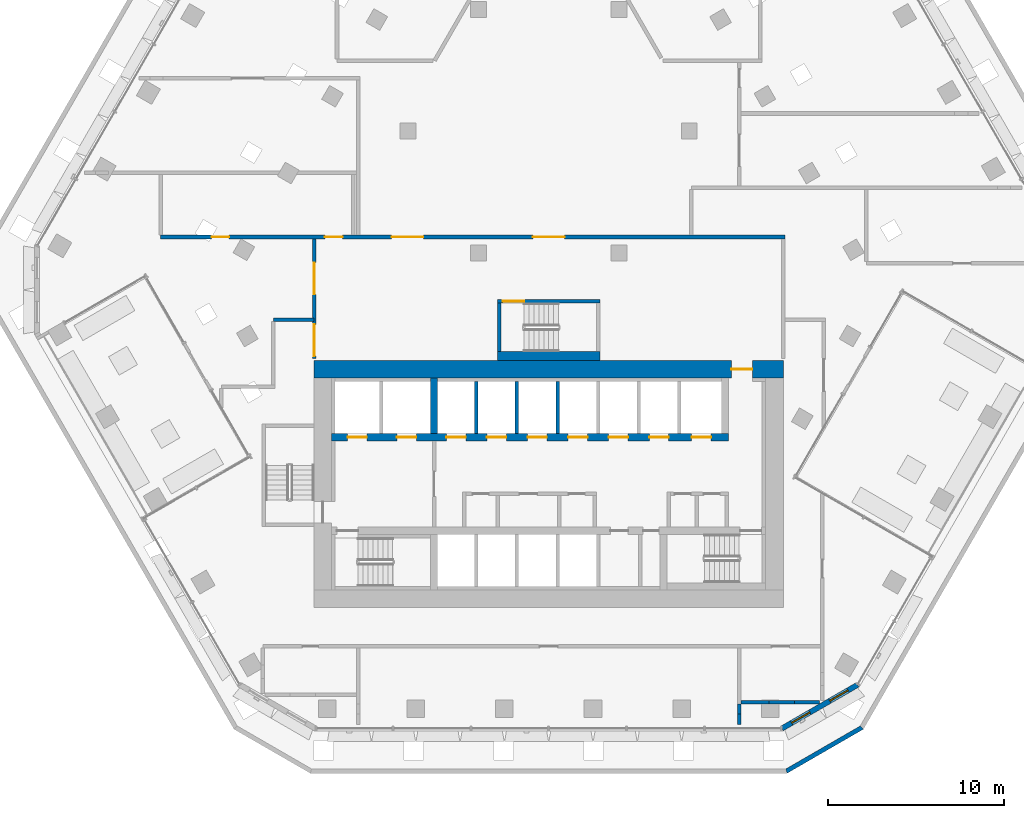
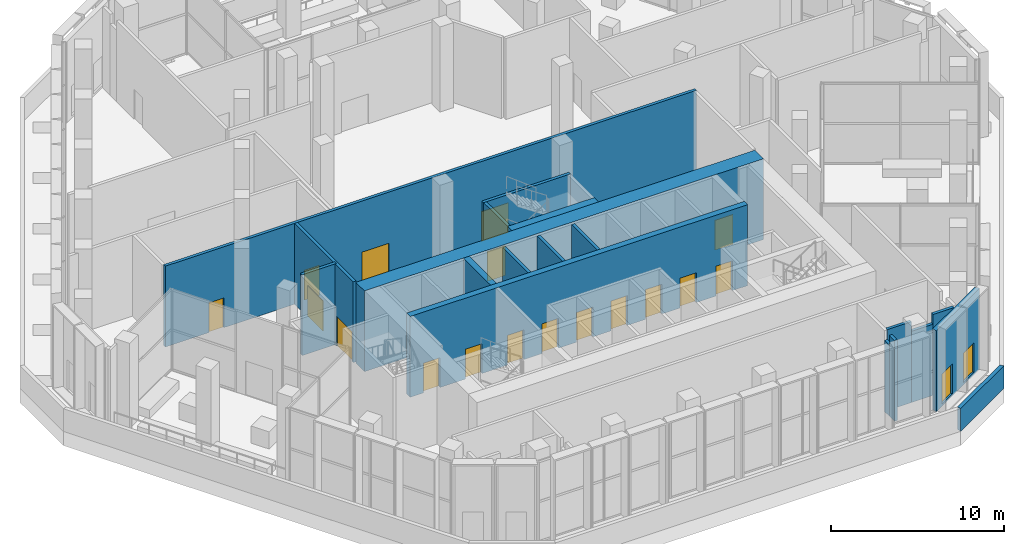
# One storey, part 10 of 23: 19 walls, 17 doors, 2 windows, 19 openings.
"""IFC4 building model written with IfcOpenShell, lengths in metres."""

from ifc_helpers import new_model, si_unit, direction, frame, frame_2d, origin, place, context, subcontext, project, spatial, polyline, rectangle, outline, extrude, material, layer, layer_set, type_object, element, fill, save


model = new_model("IFC4")

# Units and contexts
model_context = context("Model", 3, precision=1e-05, world=origin(), true_north=direction((0.0, 1.0)))
body_context = subcontext(model_context, "Body", "Model", "MODEL_VIEW")
ifc_project = project(units=[si_unit("LENGTHUNIT", "METRE"), si_unit("AREAUNIT", "SQUARE_METRE"), si_unit("VOLUMEUNIT", "CUBIC_METRE"), si_unit("PLANEANGLEUNIT", "RADIAN"), si_unit("MASSUNIT", "GRAM", prefix="KILO")], contexts=[model_context])

# Site, building, storey
site_placement = place(None, origin())
site = spatial("IfcSite", under=ifc_project, at=site_placement, CompositionType="ELEMENT")
building_placement = place(site_placement, origin())
building = spatial("IfcBuilding", under=site, at=building_placement, Name="Beryl Residences", CompositionType="ELEMENT")
storey_placement = place(building_placement, frame((0.0, 0.0, 66.0)))
storey = spatial("IfcBuildingStorey", under=building, at=storey_placement, Name="L20", CompositionType="ELEMENT", Elevation=66.0)

# Wall, openings, windows
ifc_material_1 = material(Name="Composite metal panel with mineral wool insulation")
ifc_layer_1 = layer(ifc_material_1, 0.300048828125)
ifc_layer_set_1 = layer_set([ifc_layer_1], Name="ES1 pale metal composite panel wall 300 mm")
wall_type_1 = type_object("IfcWallType", Name="ES1 pale metal composite panel wall 300 mm", PredefinedType="SOLIDWALL", material=ifc_layer_set_1)
wall_1_placement = place(storey_placement, frame((13.2041015625, -25.8701171875, 0.0), z_axis=(0.0, 0.0, 1.0), x_axis=(0.866010750942, 0.50002537861, 0.0)))
wall_1 = element("IfcWall", 1, at=wall_1_placement, inside=storey, type_object=wall_type_1, Name="ES1 external wall L20 S-SE", PredefinedType="SOLIDWALL", context=body_context, shape_type="SweptSolid", body=[
    extrude(outline(polyline([(0.0, -0.14990234375), (4.999755859375, -0.14990234375), (4.91943359375, 0.14990234375), (0.080322265625, 0.14990234375), (0.0, -0.14990234375)])), origin(), (0.0, 0.0, 1.0), 5.699951171875),
])
opening_1_placement = place(wall_1_placement, frame((0.64990234375, 0.0, 0.14990234375)))
opening_1 = element("IfcOpeningElement", 2, at=opening_1_placement, cuts=wall_1, Name="Opening W2", PredefinedType="OPENING", context=body_context, shape_type="SweptSolid", body=[
    extrude(rectangle(XDim=1.199951171875, YDim=2.10009765625, at=frame_2d((0.60009765625, 1.050048828125))), frame((0.0, 0.159912109375, 0.0), z_axis=(0.0, -1.0, 0.0), x_axis=(1.0, 0.0, 0.0)), (0.0, 0.0, 1.0), 0.320068359375),
])
opening_2_placement = place(wall_1_placement, frame((3.14892578125, 0.0, 0.14990234375)))
opening_2 = element("IfcOpeningElement", 3, at=opening_2_placement, cuts=wall_1, Name="Opening W2", PredefinedType="OPENING", context=body_context, shape_type="SweptSolid", body=[
    extrude(rectangle(XDim=1.199951171875, YDim=2.10009765625, at=frame_2d((0.60009765625, 1.050048828125))), frame((0.0, 0.159912109375, 0.0), z_axis=(0.0, -1.0, 0.0), x_axis=(1.0, 0.0, 0.0)), (0.0, 0.0, 1.0), 0.320068359375),
])
ifc_material_2 = material(Name="Aluminium and clear glass", Category="aluminium")
window_type = type_object("IfcWindowType", Name="W2 chamfer window 1200 x 2100 mm", PartitioningType="SINGLE_PANEL", PredefinedType="WINDOW", material=ifc_material_2)
window_1_placement = place(opening_1_placement, origin())
window_1 = element("IfcWindow", 4, at=window_1_placement, inside=storey, type_object=window_type, Name="W2 window L20 S-SE 1", OverallHeight=2.10009765625, OverallWidth=1.199951171875, PartitioningType="SINGLE_PANEL", PredefinedType="WINDOW", context=body_context, shape_type="SweptSolid", body=[
    extrude(rectangle(XDim=1.199951171875, YDim=2.10009765625, at=frame_2d((0.60009765625, 1.050048828125))), frame((0.0, 0.030029296875, 0.0), z_axis=(0.0, -1.0, 0.0), x_axis=(1.0, 0.0, 0.0)), (0.0, 0.0, 1.0), 0.06005859375),
])
fill(opening_1, window_1)
window_2_placement = place(opening_2_placement, origin())
window_2 = element("IfcWindow", 5, at=window_2_placement, inside=storey, type_object=window_type, Name="W2 window L20 S-SE 2", OverallHeight=2.10009765625, OverallWidth=1.199951171875, PartitioningType="SINGLE_PANEL", PredefinedType="WINDOW", context=body_context, shape_type="SweptSolid", body=[
    extrude(rectangle(XDim=1.199951171875, YDim=2.10009765625, at=frame_2d((0.60009765625, 1.050048828125))), frame((0.0, 0.030029296875, 0.0), z_axis=(0.0, -1.0, 0.0), x_axis=(1.0, 0.0, 0.0)), (0.0, 0.0, 1.0), 0.06005859375),
])
fill(opening_2, window_2)

# Walls
ifc_material_3 = material(Name="Precast concrete C40/50", Category="concrete")
ifc_layer_2 = layer(ifc_material_3, 0.25)
ifc_layer_set_2 = layer_set([ifc_layer_2], Name="PA1 roof parapet 250 mm")
wall_type_2 = type_object("IfcWallType", Name="PA1 roof parapet 250 mm", PredefinedType="PARAPET", material=ifc_layer_set_2)
wall_2_placement = place(storey_placement, frame((17.777099609375, -25.791015625, 0.0), z_axis=(0.0, 0.0, 1.0), x_axis=(-0.865889515344, -0.500235291855, 0.0)))
element("IfcWall", 6, at=wall_2_placement, inside=storey, type_object=wall_type_2, Name="PA1 parapet L20 strip 5", PredefinedType="PARAPET", context=body_context, shape_type="SweptSolid", body=[
    extrude(outline(polyline([(0.06689453125, -0.125), (4.9326171875, -0.125), (4.99951171875, 0.125), (0.0, 0.125), (0.06689453125, -0.125)])), origin(), (0.0, 0.0, 1.0), 1.60009765625),
])
ifc_material_4 = material(Name="Cement board with tiles")
ifc_layer_3 = layer(ifc_material_4, 0.199951171875)
ifc_layer_set_3 = layer_set([ifc_layer_3], Name="PT11-200 wet area wall 200 mm")
wall_type_3 = type_object("IfcWallType", Name="PT11-200 wet area wall 200 mm", PredefinedType="PARTITIONING", material=ifc_layer_set_3)
wall_3_placement = place(storey_placement, frame((10.89990234375, -24.37109375, 0.0), z_axis=(0.0, 0.0, 1.0), x_axis=(1.0, 0.0, 0.0)))
element("IfcWall", 7, at=wall_3_placement, inside=storey, type_object=wall_type_3, Name="Wall PT11-200 L20 001", PredefinedType="PARTITIONING", context=body_context, shape_type="SweptSolid", body=[
    extrude(rectangle(XDim=1.591064453125, YDim=0.199951171875, at=frame_2d((0.79541015625, 0.0))), origin(), (0.0, 0.0, 1.0), 5.699951171875),
])
wall_4_placement = place(storey_placement, frame((12.490966796875, -24.37109375, 0.0), z_axis=(0.0, 0.0, 1.0), x_axis=(1.0, 0.0, 0.0)))
element("IfcWall", 8, at=wall_4_placement, inside=storey, type_object=wall_type_3, Name="Wall PT11-200 L20 002", PredefinedType="PARTITIONING", context=body_context, shape_type="SweptSolid", body=[
    extrude(rectangle(XDim=1.447021484375, YDim=0.199951171875, at=frame_2d((0.7236328125, 0.0))), origin(), (0.0, 0.0, 1.0), 5.02001953125),
])
wall_5_placement = place(storey_placement, frame((13.93798828125, -24.37109375, 0.0), z_axis=(0.0, 0.0, 1.0), x_axis=(1.0, 0.0, 0.0)))
element("IfcWall", 9, at=wall_5_placement, inside=storey, type_object=wall_type_3, Name="Wall PT11-200 L20 003", PredefinedType="PARTITIONING", context=body_context, shape_type="SweptSolid", body=[
    extrude(rectangle(XDim=1.402099609375, YDim=0.199951171875, at=frame_2d((0.701171875, 0.0))), origin(), (0.0, 0.0, 1.0), 5.699951171875),
])
ifc_material_5 = material(Name="Double stud gypsum board wall")
ifc_layer_4 = layer(ifc_material_5, 0.199951171875)
ifc_layer_set_4 = layer_set([ifc_layer_4], Name="PT4 corridor wall 200 mm double stud")
wall_type_4 = type_object("IfcWallType", Name="PT4 corridor wall 200 mm double stud", PredefinedType="PARTITIONING", material=ifc_layer_set_4)
wall_6_placement = place(storey_placement, frame((-15.60009765625, -2.699951171875, 0.0), z_axis=(0.0, 0.0, 1.0), x_axis=(1.0, 0.0, 0.0)))
element("IfcWall", 10, at=wall_6_placement, inside=storey, type_object=wall_type_4, Name="Wall PT4 L20 003", PredefinedType="PARTITIONING", context=body_context, shape_type="SweptSolid", body=[
    extrude(rectangle(XDim=2.300048828125, YDim=0.199951171875, at=frame_2d((1.14990234375, 0.0))), origin(), (0.0, 0.0, 1.0), 5.699951171875),
])

# Wall, openings, doors
wall_7_placement = place(storey_placement, frame((-13.300048828125, -4.8798828125, 0.0), z_axis=(0.0, 0.0, 1.0), x_axis=(0.0, 1.0, 0.0)))
wall_7 = element("IfcWall", 11, at=wall_7_placement, inside=storey, type_object=wall_type_4, Name="Wall PT4 L20 016", PredefinedType="PARTITIONING", context=body_context, shape_type="SweptSolid", body=[
    extrude(rectangle(XDim=6.77978515625, YDim=0.199951171875, at=frame_2d((3.389892578125, 0.0))), origin(), (0.0, 0.0, 1.0), 5.699951171875),
])
opening_3_placement = place(wall_7_placement, frame((3.6279296875, 0.0, 0.0)))
opening_3 = element("IfcOpeningElement", 12, at=opening_3_placement, cuts=wall_7, Name="Opening L20-14", PredefinedType="OPENING", context=body_context, shape_type="SweptSolid", body=[
    extrude(rectangle(XDim=1.800048828125, YDim=2.10009765625, at=frame_2d((0.89990234375, 1.050048828125))), frame((0.0, 0.10986328125, 0.0), z_axis=(0.0, -1.0, 0.0), x_axis=(1.0, 0.0, 0.0)), (0.0, 0.0, 1.0), 0.219970703125),
])
opening_4_placement = place(wall_7_placement, frame((0.1279296875, 0.0, 0.0)))
opening_4 = element("IfcOpeningElement", 13, at=opening_4_placement, cuts=wall_7, Name="Opening L20-18", PredefinedType="OPENING", context=body_context, shape_type="SweptSolid", body=[
    extrude(rectangle(XDim=1.800048828125, YDim=2.10009765625, at=frame_2d((0.89990234375, 1.050048828125))), frame((0.0, 0.10986328125, 0.0), z_axis=(0.0, -1.0, 0.0), x_axis=(1.0, 0.0, 0.0)), (0.0, 0.0, 1.0), 0.219970703125),
])
ifc_material_6 = material(Name="Timber door leaf", Category="wood")
door_type_1 = type_object("IfcDoorType", Name="D20 corridor door 1800 x 2100 mm", OperationType="DOUBLE_DOOR_SINGLE_SWING", PredefinedType="DOOR", material=ifc_material_6)
door_1_placement = place(opening_3_placement, origin())
door_1 = element("IfcDoor", 14, at=door_1_placement, inside=storey, type_object=door_type_1, Name="Door L20-14 L20 001", OperationType="DOUBLE_DOOR_SINGLE_SWING", OverallHeight=2.10009765625, OverallWidth=1.800048828125, PredefinedType="DOOR", context=body_context, shape_type="SweptSolid", body=[
    extrude(rectangle(XDim=1.800048828125, YDim=2.10009765625, at=frame_2d((0.89990234375, 1.050048828125))), frame((0.0, 0.02490234375, 0.0), z_axis=(0.0, -1.0, 0.0), x_axis=(1.0, 0.0, 0.0)), (0.0, 0.0, 1.0), 0.050048828125),
])
fill(opening_3, door_1)
door_2_placement = place(opening_4_placement, origin())
door_2 = element("IfcDoor", 15, at=door_2_placement, inside=storey, type_object=door_type_1, Name="Door L20-18 L20 001", OperationType="DOUBLE_DOOR_SINGLE_SWING", OverallHeight=2.10009765625, OverallWidth=1.800048828125, PredefinedType="DOOR", context=body_context, shape_type="SweptSolid", body=[
    extrude(rectangle(XDim=1.800048828125, YDim=2.10009765625, at=frame_2d((0.89990234375, 1.050048828125))), frame((0.0, 0.02490234375, 0.0), z_axis=(0.0, -1.0, 0.0), x_axis=(1.0, 0.0, 0.0)), (0.0, 0.0, 1.0), 0.050048828125),
])
fill(opening_4, door_2)

# Walls
wall_8_placement = place(storey_placement, frame((10.800048828125, -25.6201171875, 0.0), z_axis=(0.0, 0.0, 1.0), x_axis=(0.0, 1.0, 0.0)))
element("IfcWall", 16, at=wall_8_placement, inside=storey, type_object=wall_type_4, Name="Wall PT4 L20 022", PredefinedType="PARTITIONING", context=body_context, shape_type="SweptSolid", body=[
    extrude(rectangle(XDim=0.59521484375, YDim=0.199951171875, at=frame_2d((0.297607421875, 0.0))), origin(), (0.0, 0.0, 1.0), 5.699951171875),
])
wall_9_placement = place(storey_placement, frame((10.800048828125, -25.02490234375, 0.0), z_axis=(0.0, 0.0, 1.0), x_axis=(0.0, 1.0, 0.0)))
element("IfcWall", 17, at=wall_9_placement, inside=storey, type_object=wall_type_4, Name="Wall PT4 L20 023", PredefinedType="PARTITIONING", context=body_context, shape_type="SweptSolid", body=[
    extrude(rectangle(XDim=0.5498046875, YDim=0.199951171875, at=frame_2d((0.27490234375, 0.0))), origin(), (0.0, 0.0, 1.0), 5.02001953125),
])

# Wall, opening, door
ifc_material_7 = material(Name="Concrete C40/50", Category="concrete")
ifc_layer_5 = layer(ifc_material_7, 0.199951171875)
ifc_layer_set_5 = layer_set([ifc_layer_5], Name="PT5 stair enclosure wall 200 mm reinforced concrete C40/50")
wall_type_5 = type_object("IfcWallType", Name="PT5 stair enclosure wall 200 mm reinforced concrete C40/50", PredefinedType="SOLIDWALL", material=ifc_layer_set_5)
wall_10_placement = place(storey_placement, frame((-2.89990234375, -1.64990234375, 0.0), z_axis=(0.0, 0.0, 1.0), x_axis=(1.0, 0.0, 0.0)))
wall_10 = element("IfcWall", 18, at=wall_10_placement, inside=storey, type_object=wall_type_5, Name="Wall PT5 L20 001", PredefinedType="SOLIDWALL", context=body_context, shape_type="SweptSolid", body=[
    extrude(rectangle(XDim=5.7998046875, YDim=0.199951171875, at=frame_2d((2.89990234375, 0.0))), origin(), (0.0, 0.0, 1.0), 5.699951171875),
])
opening_5_placement = place(wall_10_placement, frame((0.300048828125, 0.0, 0.0)))
opening_5 = element("IfcOpeningElement", 19, at=opening_5_placement, cuts=wall_10, Name="Opening DS04", PredefinedType="OPENING", context=body_context, shape_type="SweptSolid", body=[
    extrude(rectangle(XDim=1.199951171875, YDim=2.10009765625, at=frame_2d((0.60009765625, 1.050048828125))), frame((0.0, 0.10986328125, 0.0), z_axis=(0.0, -1.0, 0.0), x_axis=(1.0, 0.0, 0.0)), (0.0, 0.0, 1.0), 0.219970703125),
])
ifc_material_8 = material(Name="Steel door leaf in steel frame", Category="steel")
door_type_2 = type_object("IfcDoorType", Name="D4 stair door 1200 x 2100 mm", OperationType="SINGLE_SWING_LEFT", PredefinedType="DOOR", material=ifc_material_8)
door_3_placement = place(opening_5_placement, origin())
door_3 = element("IfcDoor", 20, at=door_3_placement, inside=storey, type_object=door_type_2, Name="Door DS04 L20 001", OperationType="SINGLE_SWING_LEFT", OverallHeight=2.10009765625, OverallWidth=1.199951171875, PredefinedType="DOOR", context=body_context, shape_type="SweptSolid", body=[
    extrude(rectangle(XDim=1.199951171875, YDim=2.10009765625, at=frame_2d((0.60009765625, 1.050048828125))), frame((0.0, 0.02490234375, 0.0), z_axis=(0.0, -1.0, 0.0), x_axis=(1.0, 0.0, 0.0)), (0.0, 0.0, 1.0), 0.050048828125),
])
fill(opening_5, door_3)

# Walls
wall_11_placement = place(storey_placement, frame((-2.800048828125, -4.5, 0.0), z_axis=(0.0, 0.0, 1.0), x_axis=(0.0, 1.0, 0.0)))
element("IfcWall", 21, at=wall_11_placement, inside=storey, type_object=wall_type_5, Name="Wall PT5 L20 002", PredefinedType="SOLIDWALL", context=body_context, shape_type="SweptSolid", body=[
    extrude(rectangle(XDim=2.75, YDim=0.199951171875, at=frame_2d((1.375, 0.0))), origin(), (0.0, 0.0, 1.0), 5.699951171875),
])
ifc_material_9 = material(Name="Concrete C40/50", Category="concrete")
ifc_layer_6 = layer(ifc_material_9, 0.5)
ifc_layer_set_6 = layer_set([ifc_layer_6], Name="PT5-500 stair enclosure wall 500 mm")
wall_type_6 = type_object("IfcWallType", Name="PT5-500 stair enclosure wall 500 mm", PredefinedType="SOLIDWALL", material=ifc_layer_set_6)
wall_12_placement = place(storey_placement, frame((-2.89990234375, -4.75, 0.0), z_axis=(0.0, 0.0, 1.0), x_axis=(1.0, 0.0, 0.0)))
element("IfcWall", 22, at=wall_12_placement, inside=storey, type_object=wall_type_6, Name="Wall PT5-500 L20 001", PredefinedType="SOLIDWALL", context=body_context, shape_type="SweptSolid", body=[
    extrude(rectangle(XDim=5.7998046875, YDim=0.5, at=frame_2d((2.89990234375, 0.0))), origin(), (0.0, 0.0, 1.0), 5.699951171875),
])
ifc_material_10 = material(Name="Concrete C40/50", Category="concrete")
ifc_layer_7 = layer(ifc_material_10, 0.199951171875)
ifc_layer_set_7 = layer_set([ifc_layer_7], Name="PT6 lift shaft wall 200 mm reinforced concrete C40/50")
wall_type_7 = type_object("IfcWallType", Name="PT6 lift shaft wall 200 mm reinforced concrete C40/50", PredefinedType="SOLIDWALL", material=ifc_layer_set_7)
for number, where, z_axis, x_axis, name in (
    (23, (-4.10009765625, -9.14990234375, 0.0), (0.0, 0.0, 1.0), (0.0, 1.0, 0.0), "Lift shaft wall 17"),
    (24, (-1.800048828125, -9.14990234375, 0.0), (0.0, 0.0, 1.0), (0.0, 1.0, 0.0), "Lift shaft wall 20"),
    (25, (0.5, -9.14990234375, 0.0), (0.0, 0.0, 1.0), (0.0, 1.0, 0.0), "Lift shaft wall 22"),
):
    element("IfcWall", number, at=place(storey_placement, frame(where, z_axis=z_axis, x_axis=x_axis)), inside=storey, type_object=wall_type_7, Name=name, PredefinedType="SOLIDWALL", context=body_context, shape_type="SweptSolid", body=[
        extrude(rectangle(XDim=2.949951171875, YDim=0.199951171875, at=frame_2d((1.47509765625, 0.0))), origin(), (0.0, 0.0, 1.0), 5.699951171875),
    ])

# Wall, openings, doors
ifc_material_11 = material(Name="Concrete masonry", Category="masonry")
ifc_layer_8 = layer(ifc_material_11, 0.199951171875)
ifc_layer_set_8 = layer_set([ifc_layer_8], Name="PT8-200 service room wall 200 mm")
wall_type_8 = type_object("IfcWallType", Name="PT8-200 service room wall 200 mm", PredefinedType="PARTITIONING", material=ifc_layer_set_8)
wall_13_placement = place(storey_placement, frame((-22.0, 2.0, 0.0), z_axis=(0.0, 0.0, 1.0), x_axis=(1.0, 0.0, 0.0)))
wall_13 = element("IfcWall", 26, at=wall_13_placement, inside=storey, type_object=wall_type_8, Name="Wall PT8-200 L20 004", PredefinedType="PARTITIONING", context=body_context, shape_type="SweptSolid", body=[
    extrude(rectangle(XDim=35.39990234375, YDim=0.199951171875, at=frame_2d((17.699951171875, 0.0))), origin(), (0.0, 0.0, 1.0), 5.699951171875),
])
opening_6_placement = place(wall_13_placement, frame((3.889892578125, 0.0, 0.0), z_axis=(0.0, 0.0, 1.0), x_axis=(-1.0, 0.0, 0.0)))
opening_6 = element("IfcOpeningElement", 27, at=opening_6_placement, cuts=wall_13, Name="Opening L20-02", PredefinedType="OPENING", context=body_context, shape_type="SweptSolid", body=[
    extrude(rectangle(XDim=1.0, YDim=2.10009765625, at=frame_2d((0.5, 1.050048828125))), frame((0.0, 0.10986328125, 0.0), z_axis=(0.0, -1.0, 0.0), x_axis=(1.0, 0.0, 0.0)), (0.0, 0.0, 1.0), 0.219970703125),
])
opening_7_placement = place(wall_13_placement, frame((21.10009765625, 0.0, 0.0)))
opening_7 = element("IfcOpeningElement", 28, at=opening_7_placement, cuts=wall_13, Name="Opening L20-11", PredefinedType="OPENING", context=body_context, shape_type="SweptSolid", body=[
    extrude(rectangle(XDim=1.800048828125, YDim=2.10009765625, at=frame_2d((0.89990234375, 1.050048828125))), frame((0.0, 0.10986328125, 0.0), z_axis=(0.0, -1.0, 0.0), x_axis=(1.0, 0.0, 0.0)), (0.0, 0.0, 1.0), 0.219970703125),
])
opening_8_placement = place(wall_13_placement, frame((9.31591796875, 0.0, 0.0)))
opening_8 = element("IfcOpeningElement", 29, at=opening_8_placement, cuts=wall_13, Name="Opening L20-15", PredefinedType="OPENING", context=body_context, shape_type="SweptSolid", body=[
    extrude(rectangle(XDim=1.0, YDim=2.10009765625, at=frame_2d((0.5, 1.050048828125))), frame((0.0, 0.10986328125, 0.0), z_axis=(0.0, -1.0, 0.0), x_axis=(1.0, 0.0, 0.0)), (0.0, 0.0, 1.0), 0.219970703125),
])
opening_9_placement = place(wall_13_placement, frame((13.10205078125, 0.0, 0.0)))
opening_9 = element("IfcOpeningElement", 30, at=opening_9_placement, cuts=wall_13, Name="Opening L20-17", PredefinedType="OPENING", context=body_context, shape_type="SweptSolid", body=[
    extrude(rectangle(XDim=1.800048828125, YDim=2.10009765625, at=frame_2d((0.89990234375, 1.050048828125))), frame((0.0, 0.10986328125, 0.0), z_axis=(0.0, -1.0, 0.0), x_axis=(1.0, 0.0, 0.0)), (0.0, 0.0, 1.0), 0.219970703125),
])
ifc_material_12 = material(Name="Steel door leaf in steel frame", Category="steel")
door_type_3 = type_object("IfcDoorType", Name="D18 service room door 1000 x 2100 mm", OperationType="SINGLE_SWING_LEFT", PredefinedType="DOOR", material=ifc_material_12)
door_4_placement = place(opening_6_placement, origin())
door_4 = element("IfcDoor", 31, at=door_4_placement, inside=storey, type_object=door_type_3, Name="Door L20-02 L20 001", OperationType="SINGLE_SWING_LEFT", OverallHeight=2.10009765625, OverallWidth=1.0, PredefinedType="DOOR", context=body_context, shape_type="SweptSolid", body=[
    extrude(rectangle(XDim=1.0, YDim=2.10009765625, at=frame_2d((0.5, 1.050048828125))), frame((0.0, 0.02490234375, 0.0), z_axis=(0.0, -1.0, 0.0), x_axis=(1.0, 0.0, 0.0)), (0.0, 0.0, 1.0), 0.050048828125),
])
fill(opening_6, door_4)
door_5_placement = place(opening_7_placement, origin())
door_5 = element("IfcDoor", 32, at=door_5_placement, inside=storey, type_object=door_type_1, Name="Door L20-11 L20 001", OperationType="DOUBLE_DOOR_SINGLE_SWING", OverallHeight=2.10009765625, OverallWidth=1.800048828125, PredefinedType="DOOR", context=body_context, shape_type="SweptSolid", body=[
    extrude(rectangle(XDim=1.800048828125, YDim=2.10009765625, at=frame_2d((0.89990234375, 1.050048828125))), frame((0.0, 0.02490234375, 0.0), z_axis=(0.0, -1.0, 0.0), x_axis=(1.0, 0.0, 0.0)), (0.0, 0.0, 1.0), 0.050048828125),
])
fill(opening_7, door_5)
door_6_placement = place(opening_9_placement, origin())
door_6 = element("IfcDoor", 33, at=door_6_placement, inside=storey, type_object=door_type_1, Name="Door L20-17 L20 001", OperationType="DOUBLE_DOOR_SINGLE_SWING", OverallHeight=2.10009765625, OverallWidth=1.800048828125, PredefinedType="DOOR", context=body_context, shape_type="SweptSolid", body=[
    extrude(rectangle(XDim=1.800048828125, YDim=2.10009765625, at=frame_2d((0.89990234375, 1.050048828125))), frame((0.0, 0.02490234375, 0.0), z_axis=(0.0, -1.0, 0.0), x_axis=(1.0, 0.0, 0.0)), (0.0, 0.0, 1.0), 0.050048828125),
])
fill(opening_9, door_6)
ifc_material_13 = material(Name="Timber door leaf", Category="wood")
door_type_4 = type_object("IfcDoorType", Name="D9 corridor door 1000 x 2100 mm", OperationType="SINGLE_SWING_LEFT", PredefinedType="DOOR", material=ifc_material_13)
door_7_placement = place(opening_8_placement, origin())
door_7 = element("IfcDoor", 34, at=door_7_placement, inside=storey, type_object=door_type_4, Name="Door L20-15 L20 001", OperationType="SINGLE_SWING_LEFT", OverallHeight=2.10009765625, OverallWidth=1.0, PredefinedType="DOOR", context=body_context, shape_type="SweptSolid", body=[
    extrude(rectangle(XDim=1.0, YDim=2.10009765625, at=frame_2d((0.5, 1.050048828125))), frame((0.0, 0.02490234375, 0.0), z_axis=(0.0, -1.0, 0.0), x_axis=(1.0, 0.0, 0.0)), (0.0, 0.0, 1.0), 0.050048828125),
])
fill(opening_8, door_7)

# Wall, opening, door
ifc_material_14 = material(Name="Concrete C70/85", Category="concrete")
ifc_layer_9 = layer(ifc_material_14, 1.0)
ifc_layer_set_9 = layer_set([ifc_layer_9], Name="SW2 core outer wall 1000 mm C70/85")
wall_type_9 = type_object("IfcWallType", Name="SW2 core outer wall 1000 mm C70/85", PredefinedType="SHEAR", material=ifc_layer_set_9)
wall_14_placement = place(storey_placement, frame((-13.300048828125, -5.5, 0.0), z_axis=(0.0, 0.0, 1.0), x_axis=(1.0, 0.0, 0.0)))
wall_14 = element("IfcWall", 35, at=wall_14_placement, inside=storey, type_object=wall_type_9, Name="Core wall N L20", PredefinedType="SHEAR", context=body_context, shape_type="SweptSolid", body=[
    extrude(rectangle(XDim=26.60009765625, YDim=1.0, at=frame_2d((13.300048828125, 0.0))), origin(), (0.0, 0.0, 1.0), 5.699951171875),
])
opening_10_placement = place(wall_14_placement, frame((23.64990234375, 0.0, 0.0)))
opening_10 = element("IfcOpeningElement", 36, at=opening_10_placement, cuts=wall_14, Name="Opening FD-NORTH", PredefinedType="OPENING", context=body_context, shape_type="SweptSolid", body=[
    extrude(rectangle(XDim=1.199951171875, YDim=2.10009765625, at=frame_2d((0.60009765625, 1.050048828125))), frame((0.0, 0.510009765625, 0.0), z_axis=(0.0, -1.0, 0.0), x_axis=(1.0, 0.0, 0.0)), (0.0, 0.0, 1.0), 1.02001953125),
])
ifc_material_15 = material(Name="Steel door leaf in steel frame", Category="steel")
door_type_5 = type_object("IfcDoorType", Name="D22 lobby door 1200 x 2100 mm", OperationType="DOUBLE_DOOR_SINGLE_SWING", PredefinedType="DOOR", material=ifc_material_15)
door_8_placement = place(opening_10_placement, origin())
door_8 = element("IfcDoor", 37, at=door_8_placement, inside=storey, type_object=door_type_5, Name="Door FD-NORTH L20 001", OperationType="DOUBLE_DOOR_SINGLE_SWING", OverallHeight=2.10009765625, OverallWidth=1.199951171875, PredefinedType="DOOR", context=body_context, shape_type="SweptSolid", body=[
    extrude(rectangle(XDim=1.199951171875, YDim=2.10009765625, at=frame_2d((0.60009765625, 1.050048828125))), frame((0.0, 0.02490234375, 0.0), z_axis=(0.0, -1.0, 0.0), x_axis=(1.0, 0.0, 0.0)), (0.0, 0.0, 1.0), 0.050048828125),
])
fill(opening_10, door_8)

# Wall, openings, doors
ifc_material_16 = material(Name="Concrete C70/85", Category="concrete")
ifc_layer_10 = layer(ifc_material_16, 0.39990234375)
ifc_layer_set_10 = layer_set([ifc_layer_10], Name="SW7 core internal wall 400 mm C70/85")
wall_type_10 = type_object("IfcWallType", Name="SW7 core internal wall 400 mm C70/85", PredefinedType="SHEAR", material=ifc_layer_set_10)
wall_15_placement = place(storey_placement, frame((-12.300048828125, -9.35009765625, 0.0), z_axis=(0.0, 0.0, 1.0), x_axis=(1.0, 0.0, 0.0)))
wall_15 = element("IfcWall", 38, at=wall_15_placement, inside=storey, type_object=wall_type_10, Name="Core wall SP2 L20", PredefinedType="SHEAR", context=body_context, shape_type="SweptSolid", body=[
    extrude(rectangle(XDim=22.5, YDim=0.39990234375, at=frame_2d((11.25, 0.0))), origin(), (0.0, 0.0, 1.0), 5.699951171875),
])
opening_11_placement = place(wall_15_placement, frame((0.89990234375, 0.0, 0.0)))
opening_11 = element("IfcOpeningElement", 39, at=opening_11_placement, cuts=wall_15, Name="Opening LD-FF1", PredefinedType="OPENING", context=body_context, shape_type="SweptSolid", body=[
    extrude(rectangle(XDim=1.10009765625, YDim=2.10009765625, at=frame_2d((0.550048828125, 1.050048828125))), frame((0.0, 0.2099609375, 0.0), z_axis=(0.0, -1.0, 0.0), x_axis=(1.0, 0.0, 0.0)), (0.0, 0.0, 1.0), 0.419921875),
])
opening_12_placement = place(wall_15_placement, frame((3.699951171875, 0.0, 0.0)))
opening_12 = element("IfcOpeningElement", 40, at=opening_12_placement, cuts=wall_15, Name="Opening LD-FF2", PredefinedType="OPENING", context=body_context, shape_type="SweptSolid", body=[
    extrude(rectangle(XDim=1.10009765625, YDim=2.10009765625, at=frame_2d((0.550048828125, 1.050048828125))), frame((0.0, 0.2099609375, 0.0), z_axis=(0.0, -1.0, 0.0), x_axis=(1.0, 0.0, 0.0)), (0.0, 0.0, 1.0), 0.419921875),
])
opening_13_placement = place(wall_15_placement, frame((6.5, 0.0, 0.0)))
opening_13 = element("IfcOpeningElement", 41, at=opening_13_placement, cuts=wall_15, Name="Opening LD-LR1", PredefinedType="OPENING", context=body_context, shape_type="SweptSolid", body=[
    extrude(rectangle(XDim=1.10009765625, YDim=2.10009765625, at=frame_2d((0.550048828125, 1.050048828125))), frame((0.0, 0.2099609375, 0.0), z_axis=(0.0, -1.0, 0.0), x_axis=(1.0, 0.0, 0.0)), (0.0, 0.0, 1.0), 0.419921875),
])
opening_14_placement = place(wall_15_placement, frame((8.800048828125, 0.0, 0.0)))
opening_14 = element("IfcOpeningElement", 42, at=opening_14_placement, cuts=wall_15, Name="Opening LD-LR2", PredefinedType="OPENING", context=body_context, shape_type="SweptSolid", body=[
    extrude(rectangle(XDim=1.10009765625, YDim=2.10009765625, at=frame_2d((0.550048828125, 1.050048828125))), frame((0.0, 0.2099609375, 0.0), z_axis=(0.0, -1.0, 0.0), x_axis=(1.0, 0.0, 0.0)), (0.0, 0.0, 1.0), 0.419921875),
])
opening_15_placement = place(wall_15_placement, frame((11.10009765625, 0.0, 0.0)))
opening_15 = element("IfcOpeningElement", 43, at=opening_15_placement, cuts=wall_15, Name="Opening LD-LR3", PredefinedType="OPENING", context=body_context, shape_type="SweptSolid", body=[
    extrude(rectangle(XDim=1.10009765625, YDim=2.10009765625, at=frame_2d((0.550048828125, 1.050048828125))), frame((0.0, 0.2099609375, 0.0), z_axis=(0.0, -1.0, 0.0), x_axis=(1.0, 0.0, 0.0)), (0.0, 0.0, 1.0), 0.419921875),
])
opening_16_placement = place(wall_15_placement, frame((13.39990234375, 0.0, 0.0)))
opening_16 = element("IfcOpeningElement", 44, at=opening_16_placement, cuts=wall_15, Name="Opening LD-LR4", PredefinedType="OPENING", context=body_context, shape_type="SweptSolid", body=[
    extrude(rectangle(XDim=1.10009765625, YDim=2.10009765625, at=frame_2d((0.550048828125, 1.050048828125))), frame((0.0, 0.2099609375, 0.0), z_axis=(0.0, -1.0, 0.0), x_axis=(1.0, 0.0, 0.0)), (0.0, 0.0, 1.0), 0.419921875),
])
opening_17_placement = place(wall_15_placement, frame((15.699951171875, 0.0, 0.0)))
opening_17 = element("IfcOpeningElement", 45, at=opening_17_placement, cuts=wall_15, Name="Opening LD-LR5", PredefinedType="OPENING", context=body_context, shape_type="SweptSolid", body=[
    extrude(rectangle(XDim=1.10009765625, YDim=2.10009765625, at=frame_2d((0.550048828125, 1.050048828125))), frame((0.0, 0.2099609375, 0.0), z_axis=(0.0, -1.0, 0.0), x_axis=(1.0, 0.0, 0.0)), (0.0, 0.0, 1.0), 0.419921875),
])
opening_18_placement = place(wall_15_placement, frame((18.0, 0.0, 0.0)))
opening_18 = element("IfcOpeningElement", 46, at=opening_18_placement, cuts=wall_15, Name="Opening LD-LR6", PredefinedType="OPENING", context=body_context, shape_type="SweptSolid", body=[
    extrude(rectangle(XDim=1.10009765625, YDim=2.10009765625, at=frame_2d((0.550048828125, 1.050048828125))), frame((0.0, 0.2099609375, 0.0), z_axis=(0.0, -1.0, 0.0), x_axis=(1.0, 0.0, 0.0)), (0.0, 0.0, 1.0), 0.419921875),
])
opening_19_placement = place(wall_15_placement, frame((20.39990234375, 0.0, 0.0)))
opening_19 = element("IfcOpeningElement", 47, at=opening_19_placement, cuts=wall_15, Name="Opening LD-SL1", PredefinedType="OPENING", context=body_context, shape_type="SweptSolid", body=[
    extrude(rectangle(XDim=1.10009765625, YDim=2.10009765625, at=frame_2d((0.550048828125, 1.050048828125))), frame((0.0, 0.2099609375, 0.0), z_axis=(0.0, -1.0, 0.0), x_axis=(1.0, 0.0, 0.0)), (0.0, 0.0, 1.0), 0.419921875),
])
ifc_material_17 = material(Name="Stainless steel sliding door", Category="steel")
door_type_6 = type_object("IfcDoorType", Name="LD1 lift landing door 1100 x 2100 mm", OperationType="DOUBLE_DOOR_SLIDING", PredefinedType="DOOR", material=ifc_material_17)
door_9_placement = place(opening_11_placement, origin())
door_9 = element("IfcDoor", 48, at=door_9_placement, inside=storey, type_object=door_type_6, Name="Lift landing door FF1", OperationType="DOUBLE_DOOR_SLIDING", OverallHeight=2.10009765625, OverallWidth=1.10009765625, PredefinedType="DOOR", context=body_context, shape_type="SweptSolid", body=[
    extrude(rectangle(XDim=1.10009765625, YDim=2.10009765625, at=frame_2d((0.550048828125, 1.050048828125))), frame((0.0, 0.02490234375, 0.0), z_axis=(0.0, -1.0, 0.0), x_axis=(1.0, 0.0, 0.0)), (0.0, 0.0, 1.0), 0.050048828125),
])
fill(opening_11, door_9)
door_10_placement = place(opening_12_placement, origin())
door_10 = element("IfcDoor", 49, at=door_10_placement, inside=storey, type_object=door_type_6, Name="Lift landing door FF2", OperationType="DOUBLE_DOOR_SLIDING", OverallHeight=2.10009765625, OverallWidth=1.10009765625, PredefinedType="DOOR", context=body_context, shape_type="SweptSolid", body=[
    extrude(rectangle(XDim=1.10009765625, YDim=2.10009765625, at=frame_2d((0.550048828125, 1.050048828125))), frame((0.0, 0.02490234375, 0.0), z_axis=(0.0, -1.0, 0.0), x_axis=(1.0, 0.0, 0.0)), (0.0, 0.0, 1.0), 0.050048828125),
])
fill(opening_12, door_10)
door_11_placement = place(opening_13_placement, origin())
door_11 = element("IfcDoor", 50, at=door_11_placement, inside=storey, type_object=door_type_6, Name="Lift landing door LR1", OperationType="DOUBLE_DOOR_SLIDING", OverallHeight=2.10009765625, OverallWidth=1.10009765625, PredefinedType="DOOR", context=body_context, shape_type="SweptSolid", body=[
    extrude(rectangle(XDim=1.10009765625, YDim=2.10009765625, at=frame_2d((0.550048828125, 1.050048828125))), frame((0.0, 0.02490234375, 0.0), z_axis=(0.0, -1.0, 0.0), x_axis=(1.0, 0.0, 0.0)), (0.0, 0.0, 1.0), 0.050048828125),
])
fill(opening_13, door_11)
door_12_placement = place(opening_14_placement, origin())
door_12 = element("IfcDoor", 51, at=door_12_placement, inside=storey, type_object=door_type_6, Name="Lift landing door LR2", OperationType="DOUBLE_DOOR_SLIDING", OverallHeight=2.10009765625, OverallWidth=1.10009765625, PredefinedType="DOOR", context=body_context, shape_type="SweptSolid", body=[
    extrude(rectangle(XDim=1.10009765625, YDim=2.10009765625, at=frame_2d((0.550048828125, 1.050048828125))), frame((0.0, 0.02490234375, 0.0), z_axis=(0.0, -1.0, 0.0), x_axis=(1.0, 0.0, 0.0)), (0.0, 0.0, 1.0), 0.050048828125),
])
fill(opening_14, door_12)
door_13_placement = place(opening_15_placement, origin())
door_13 = element("IfcDoor", 52, at=door_13_placement, inside=storey, type_object=door_type_6, Name="Lift landing door LR3", OperationType="DOUBLE_DOOR_SLIDING", OverallHeight=2.10009765625, OverallWidth=1.10009765625, PredefinedType="DOOR", context=body_context, shape_type="SweptSolid", body=[
    extrude(rectangle(XDim=1.10009765625, YDim=2.10009765625, at=frame_2d((0.550048828125, 1.050048828125))), frame((0.0, 0.02490234375, 0.0), z_axis=(0.0, -1.0, 0.0), x_axis=(1.0, 0.0, 0.0)), (0.0, 0.0, 1.0), 0.050048828125),
])
fill(opening_15, door_13)
door_14_placement = place(opening_16_placement, origin())
door_14 = element("IfcDoor", 53, at=door_14_placement, inside=storey, type_object=door_type_6, Name="Lift landing door LR4", OperationType="DOUBLE_DOOR_SLIDING", OverallHeight=2.10009765625, OverallWidth=1.10009765625, PredefinedType="DOOR", context=body_context, shape_type="SweptSolid", body=[
    extrude(rectangle(XDim=1.10009765625, YDim=2.10009765625, at=frame_2d((0.550048828125, 1.050048828125))), frame((0.0, 0.02490234375, 0.0), z_axis=(0.0, -1.0, 0.0), x_axis=(1.0, 0.0, 0.0)), (0.0, 0.0, 1.0), 0.050048828125),
])
fill(opening_16, door_14)
door_15_placement = place(opening_17_placement, origin())
door_15 = element("IfcDoor", 54, at=door_15_placement, inside=storey, type_object=door_type_6, Name="Lift landing door LR5", OperationType="DOUBLE_DOOR_SLIDING", OverallHeight=2.10009765625, OverallWidth=1.10009765625, PredefinedType="DOOR", context=body_context, shape_type="SweptSolid", body=[
    extrude(rectangle(XDim=1.10009765625, YDim=2.10009765625, at=frame_2d((0.550048828125, 1.050048828125))), frame((0.0, 0.02490234375, 0.0), z_axis=(0.0, -1.0, 0.0), x_axis=(1.0, 0.0, 0.0)), (0.0, 0.0, 1.0), 0.050048828125),
])
fill(opening_17, door_15)
door_16_placement = place(opening_18_placement, origin())
door_16 = element("IfcDoor", 55, at=door_16_placement, inside=storey, type_object=door_type_6, Name="Lift landing door LR6", OperationType="DOUBLE_DOOR_SLIDING", OverallHeight=2.10009765625, OverallWidth=1.10009765625, PredefinedType="DOOR", context=body_context, shape_type="SweptSolid", body=[
    extrude(rectangle(XDim=1.10009765625, YDim=2.10009765625, at=frame_2d((0.550048828125, 1.050048828125))), frame((0.0, 0.02490234375, 0.0), z_axis=(0.0, -1.0, 0.0), x_axis=(1.0, 0.0, 0.0)), (0.0, 0.0, 1.0), 0.050048828125),
])
fill(opening_18, door_16)
door_17_placement = place(opening_19_placement, origin())
door_17 = element("IfcDoor", 56, at=door_17_placement, inside=storey, type_object=door_type_6, Name="Lift landing door SL1", OperationType="DOUBLE_DOOR_SLIDING", OverallHeight=2.10009765625, OverallWidth=1.10009765625, PredefinedType="DOOR", context=body_context, shape_type="SweptSolid", body=[
    extrude(rectangle(XDim=1.10009765625, YDim=2.10009765625, at=frame_2d((0.550048828125, 1.050048828125))), frame((0.0, 0.02490234375, 0.0), z_axis=(0.0, -1.0, 0.0), x_axis=(1.0, 0.0, 0.0)), (0.0, 0.0, 1.0), 0.050048828125),
])
fill(opening_19, door_17)

# Wall
wall_16_placement = place(storey_placement, frame((-6.5, -9.14990234375, 0.0), z_axis=(0.0, 0.0, 1.0), x_axis=(0.0, 1.0, 0.0)))
element("IfcWall", 57, at=wall_16_placement, inside=storey, type_object=wall_type_10, Name="Core wall XN1 L20", PredefinedType="SHEAR", context=body_context, shape_type="SweptSolid", body=[
    extrude(rectangle(XDim=3.14990234375, YDim=0.39990234375, at=frame_2d((1.574951171875, 0.0))), origin(), (0.0, 0.0, 1.0), 5.699951171875),
])

save(model, "model.ifc")
